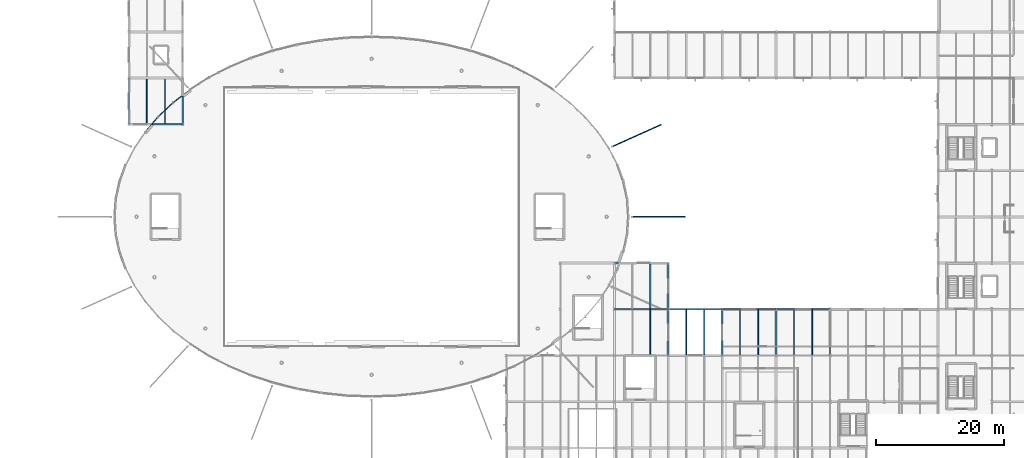
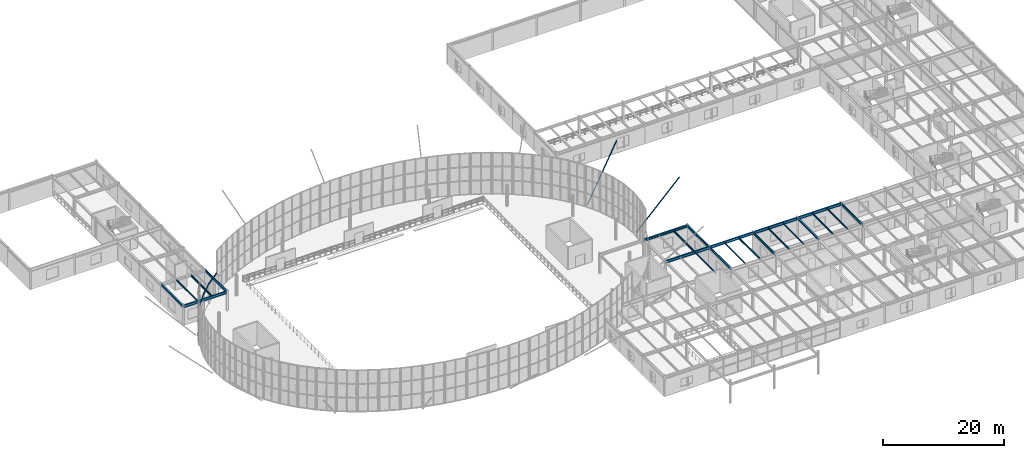
# One storey, part 33 of 109: 26 beams, 2 members.
"""IFC4 building model written with IfcOpenShell, lengths in metres."""

from ifc_helpers import new_model, si_unit, derived_unit, direction, frame, origin, origin_2d, place, context, subcontext, project, spatial, hollow_rectangle, hollow_circle, i_section, extrude, material, material_profile, profile_set, type_object, element, save


model = new_model("IFC4")

# Units and contexts
model_context = context("Model", 3, precision=1e-05, world=origin(), true_north=direction((0.0, 1.0)))
body_context = subcontext(model_context, "Body", "Model", "MODEL_VIEW")
ifc_project = project(units=[si_unit("LENGTHUNIT", "METRE"), si_unit("AREAUNIT", "SQUARE_METRE"), si_unit("VOLUMEUNIT", "CUBIC_METRE"), si_unit("PLANEANGLEUNIT", "RADIAN"), si_unit("MASSUNIT", "GRAM", prefix="KILO"), derived_unit("THERMALTRANSMITTANCEUNIT", [(si_unit("MASSUNIT", "GRAM", prefix="KILO"), 1), (si_unit("TIMEUNIT", "SECOND"), -3), (si_unit("THERMODYNAMICTEMPERATUREUNIT", "KELVIN"), -1)])], contexts=[model_context])

# Site, building, storey
site_placement = place(None, origin())
site = spatial("IfcSite", under=ifc_project, at=site_placement, CompositionType="ELEMENT")
building_placement = place(site_placement, origin())
building = spatial("IfcBuilding", under=site, at=building_placement, Name="Kharveza Railside Sports Centre", CompositionType="ELEMENT")
storey_placement = place(building_placement, frame((0.0, 0.0, 4.5)))
storey = spatial("IfcBuildingStorey", under=building, at=storey_placement, Name="L01", CompositionType="ELEMENT", Elevation=4.5)

# Beams
ifc_material = material(Name="Steel S355J2", Category="steel")
ifc_material_profile_1 = material_profile(ifc_material, i_section(OverallWidth=0.2099609375, OverallDepth=0.550048828125, WebThickness=0.010986328125, FlangeThickness=0.01708984375, FilletRadius=0.02392578125, at=origin_2d()), Name="IPE 550")
ifc_profile_set_1 = profile_set([ifc_material_profile_1], Name="Steel S355J2")
beam_type_1 = type_object("IfcBeamType", Name="BM-G02", PredefinedType="T_BEAM", material=ifc_profile_set_1)
beam_1_placement = place(storey_placement, frame((16.800048828125, 64.800048828125, 3.72509765625), z_axis=(1.0, 0.0, 0.0), x_axis=(0.0, 1.0, 0.0)))
element("IfcBeam", 1, at=beam_1_placement, inside=storey, type_object=beam_type_1, Name="BM-EW-L01-B02-X168-Y648", PredefinedType="T_BEAM", context=body_context, shape_type="SweptSolid", body=[
    extrude(i_section(OverallWidth=0.2099609375, OverallDepth=0.550048828125, WebThickness=0.010986328125, FlangeThickness=0.01708984375, FilletRadius=0.02392578125, at=origin_2d()), origin(), (0.0, 0.0, 1.0), 8.39990234375),
])
beam_2_placement = place(storey_placement, frame((92.39990234375, 36.0, 3.72509765625), z_axis=(1.0, 0.0, 0.0), x_axis=(0.0, 1.0, 0.0)))
element("IfcBeam", 2, at=beam_2_placement, inside=storey, type_object=beam_type_1, Name="BM-EW-L01-B02-X924-Y360", PredefinedType="T_BEAM", context=body_context, shape_type="SweptSolid", body=[
    extrude(i_section(OverallWidth=0.2099609375, OverallDepth=0.550048828125, WebThickness=0.010986328125, FlangeThickness=0.01708984375, FilletRadius=0.02392578125, at=origin_2d()), origin(), (0.0, 0.0, 1.0), 8.400146484375),
])
beam_3_placement = place(storey_placement, frame((100.800048828125, 36.0, 3.72509765625), z_axis=(1.0, 0.0, 0.0), x_axis=(0.0, 1.0, 0.0)))
element("IfcBeam", 3, at=beam_3_placement, inside=storey, type_object=beam_type_1, Name="BM-EW-L01-B02-X1008-Y360", PredefinedType="T_BEAM", context=body_context, shape_type="SweptSolid", body=[
    extrude(i_section(OverallWidth=0.2099609375, OverallDepth=0.550048828125, WebThickness=0.010986328125, FlangeThickness=0.01708984375, FilletRadius=0.02392578125, at=origin_2d()), origin(), (0.0, 0.0, 1.0), 8.39990234375),
])
beam_4_placement = place(storey_placement, frame((109.199951171875, 36.0, 3.72509765625), z_axis=(1.0, 0.0, 0.0), x_axis=(0.0, 1.0, 0.0)))
element("IfcBeam", 4, at=beam_4_placement, inside=storey, type_object=beam_type_1, Name="BM-EW-L01-B02-X1092-Y360", PredefinedType="T_BEAM", context=body_context, shape_type="SweptSolid", body=[
    extrude(i_section(OverallWidth=0.2099609375, OverallDepth=0.550048828125, WebThickness=0.010986328125, FlangeThickness=0.01708984375, FilletRadius=0.02392578125, at=origin_2d()), origin(), (0.0, 0.0, 1.0), 8.400146484375),
])
beam_5_placement = place(storey_placement, frame((117.60009765625, 36.0, 3.72509765625), z_axis=(1.0, 0.0, 0.0), x_axis=(0.0, 1.0, 0.0)))
element("IfcBeam", 5, at=beam_5_placement, inside=storey, type_object=beam_type_1, Name="BM-EW-L01-B02-X1176-Y360", PredefinedType="T_BEAM", context=body_context, shape_type="SweptSolid", body=[
    extrude(i_section(OverallWidth=0.2099609375, OverallDepth=0.550048828125, WebThickness=0.010986328125, FlangeThickness=0.01708984375, FilletRadius=0.02392578125, at=origin_2d()), origin(), (0.0, 0.0, 1.0), 8.39990234375),
])
ifc_material_profile_2 = material_profile(ifc_material, i_section(OverallWidth=0.199951171875, OverallDepth=0.5, WebThickness=0.01025390625, FlangeThickness=0.01611328125, FilletRadius=0.02099609375, at=origin_2d()), Name="IPE 500")
ifc_profile_set_2 = profile_set([ifc_material_profile_2], Name="Steel S355J2")
beam_type_2 = type_object("IfcBeamType", Name="BM-G03", PredefinedType="T_BEAM", material=ifc_profile_set_2)
for number, where, z_axis, x_axis, name in (
    (6, (25.199951171875, 64.800048828125, 3.75), (0.0, 1.0, 0.0), (-1.0, 0.0, 0.0), "BM-NS-L01-B03-X252-Y648"),
    (7, (100.800048828125, 28.800048828125, 3.75), (0.0, 1.0, 0.0), (-1.0, 0.0, 0.0), "BM-NS-L01-B03-X1008-Y288"),
    (8, (100.800048828125, 36.0, 3.75), (0.0, 1.0, 0.0), (-1.0, 0.0, 0.0), "BM-NS-L01-B03-X1008-Y360"),
    (9, (126.0, 28.800048828125, 3.75), (0.0, 1.0, 0.0), (-1.0, 0.0, 0.0), "BM-NS-L01-B03-X1260-Y288"),
):
    element("IfcBeam", number, at=place(storey_placement, frame(where, z_axis=z_axis, x_axis=x_axis)), inside=storey, type_object=beam_type_2, Name=name, PredefinedType="T_BEAM", context=body_context, shape_type="SweptSolid", body=[
        extrude(i_section(OverallWidth=0.199951171875, OverallDepth=0.5, WebThickness=0.01025390625, FlangeThickness=0.01611328125, FilletRadius=0.02099609375, at=origin_2d()), origin(), (0.0, 0.0, 1.0), 7.199951171875),
    ])
ifc_material_profile_3 = material_profile(ifc_material, i_section(OverallWidth=0.18994140625, OverallDepth=0.449951171875, WebThickness=0.009521484375, FlangeThickness=0.0146484375, FilletRadius=0.02099609375, at=origin_2d()), Name="IPE 450")
ifc_profile_set_3 = profile_set([ifc_material_profile_3], Name="Steel S355J2")
beam_type_3 = type_object("IfcBeamType", Name="BM-G04", PredefinedType="T_BEAM", material=ifc_profile_set_3)
beam_6_placement = place(storey_placement, frame((109.199951171875, 28.800048828125, 3.77490234375), z_axis=(0.0, 1.0, 0.0), x_axis=(-1.0, 0.0, 0.0)))
element("IfcBeam", 10, at=beam_6_placement, inside=storey, type_object=beam_type_3, Name="BM-NS-L01-B04-X1092-Y288", PredefinedType="T_BEAM", context=body_context, shape_type="SweptSolid", body=[
    extrude(i_section(OverallWidth=0.18994140625, OverallDepth=0.449951171875, WebThickness=0.009521484375, FlangeThickness=0.0146484375, FilletRadius=0.02099609375, at=origin_2d()), origin(), (0.0, 0.0, 1.0), 7.199951171875),
])
ifc_material_profile_4 = material_profile(ifc_material, i_section(OverallWidth=0.300048828125, OverallDepth=0.449951171875, WebThickness=0.013916015625, FlangeThickness=0.02587890625, FilletRadius=0.027099609375, at=origin_2d()), Name="HEB 450")
ifc_profile_set_4 = profile_set([ifc_material_profile_4], Name="Steel S355J2")
beam_type_4 = type_object("IfcBeamType", Name="BM-G06", PredefinedType="T_BEAM", material=ifc_profile_set_4)
beam_7_placement = place(storey_placement, frame((92.39990234375, 43.199951171875, 3.77490234375), z_axis=(1.0, 0.0, 0.0), x_axis=(0.0, 1.0, 0.0)))
element("IfcBeam", 11, at=beam_7_placement, inside=storey, type_object=beam_type_4, Name="BM-EW-L01-B06-X924-Y432", PredefinedType="T_BEAM", context=body_context, shape_type="SweptSolid", body=[
    extrude(i_section(OverallWidth=0.300048828125, OverallDepth=0.449951171875, WebThickness=0.013916015625, FlangeThickness=0.02587890625, FilletRadius=0.027099609375, at=origin_2d()), origin(), (0.0, 0.0, 1.0), 8.400146484375),
])
ifc_material_profile_5 = material_profile(ifc_material, i_section(OverallWidth=0.169921875, OverallDepth=0.360107421875, WebThickness=0.008056640625, FlangeThickness=0.0126953125, FilletRadius=0.01806640625, at=origin_2d()), Name="IPE 360")
ifc_profile_set_5 = profile_set([ifc_material_profile_5], Name="Steel S355J2")
beam_type_5 = type_object("IfcBeamType", Name="BM-S02", PredefinedType="BEAM", material=ifc_profile_set_5)
for number, where, z_axis, x_axis, name in (
    (12, (22.39990234375, 64.902099609375, 3.820068359375), (0.0, 1.0, 0.0), (-1.0, 0.0, 0.0), "BM-SEC-L01-B10-X224-Y648"),
    (13, (98.0, 36.10205078125, 3.820068359375), (0.0, 1.0, 0.0), (-1.0, 0.0, 0.0), "BM-SEC-L01-B10-X980-Y360"),
):
    element("IfcBeam", number, at=place(storey_placement, frame(where, z_axis=z_axis, x_axis=x_axis)), inside=storey, type_object=beam_type_5, Name=name, PredefinedType="BEAM", context=body_context, shape_type="SweptSolid", body=[
        extrude(i_section(OverallWidth=0.169921875, OverallDepth=0.360107421875, WebThickness=0.008056640625, FlangeThickness=0.0126953125, FilletRadius=0.01806640625, at=origin_2d()), origin(), (0.0, 0.0, 1.0), 6.950927734375),
    ])
beam_8_placement = place(storey_placement, frame((106.39990234375, 28.906982421875, 3.739990234375), z_axis=(0.0, 1.0, 0.0), x_axis=(-1.0, 0.0, 0.0)))
element("IfcBeam", 14, at=beam_8_placement, inside=storey, type_object=beam_type_5, Name="BM-SEC-L01-B10-X1064-Y288", PredefinedType="BEAM", context=body_context, shape_type="SweptSolid", body=[
    extrude(i_section(OverallWidth=0.169921875, OverallDepth=0.360107421875, WebThickness=0.008056640625, FlangeThickness=0.0126953125, FilletRadius=0.01806640625, at=origin_2d()), origin(), (0.0, 0.0, 1.0), 6.990966796875),
])
ifc_material_profile_6 = material_profile(ifc_material, i_section(OverallWidth=0.159912109375, OverallDepth=0.330078125, WebThickness=0.007568359375, FlangeThickness=0.011474609375, FilletRadius=0.01806640625, at=origin_2d()), Name="IPE 330")
ifc_profile_set_6 = profile_set([ifc_material_profile_6], Name="Steel S355J2")
beam_type_6 = type_object("IfcBeamType", Name="BM-S03", PredefinedType="BEAM", material=ifc_profile_set_6)
for number, where, z_axis, x_axis, name in (
    (15, (112.0, 28.906982421875, 3.7548828125), (0.0, 1.0, 0.0), (-1.0, 0.0, 0.0), "BM-SEC-L01-B11-X1120-Y288"),
    (16, (120.39990234375, 28.906982421875, 3.8349609375), (0.0, 1.0, 0.0), (-1.0, 0.0, 0.0), "BM-SEC-L01-B11-X1204-Y288"),
):
    element("IfcBeam", number, at=place(storey_placement, frame(where, z_axis=z_axis, x_axis=x_axis)), inside=storey, type_object=beam_type_6, Name=name, PredefinedType="BEAM", context=body_context, shape_type="SweptSolid", body=[
        extrude(i_section(OverallWidth=0.159912109375, OverallDepth=0.330078125, WebThickness=0.007568359375, FlangeThickness=0.011474609375, FilletRadius=0.01806640625, at=origin_2d()), origin(), (0.0, 0.0, 1.0), 6.990966796875),
    ])
ifc_material_profile_7 = material_profile(ifc_material, i_section(OverallWidth=0.135009765625, OverallDepth=0.27001953125, WebThickness=0.006591796875, FlangeThickness=0.01025390625, FilletRadius=0.014892578125, at=origin_2d()), Name="IPE 270")
ifc_profile_set_7 = profile_set([ifc_material_profile_7], Name="Steel S355J2")
beam_type_7 = type_object("IfcBeamType", Name="BM-S05", PredefinedType="BEAM", material=ifc_profile_set_7)
beam_9_placement = place(storey_placement, frame((19.60009765625, 64.902099609375, 3.864990234375), z_axis=(0.0, 1.0, 0.0), x_axis=(-1.0, 0.0, 0.0)))
element("IfcBeam", 17, at=beam_9_placement, inside=storey, type_object=beam_type_7, Name="BM-SEC-L01-B13-X196-Y648", PredefinedType="BEAM", context=body_context, shape_type="SweptSolid", body=[
    extrude(i_section(OverallWidth=0.135009765625, OverallDepth=0.27001953125, WebThickness=0.006591796875, FlangeThickness=0.01025390625, FilletRadius=0.014892578125, at=origin_2d()), origin(), (0.0, 0.0, 1.0), 6.950927734375),
])
for number, where, z_axis, x_axis, name in (
    (18, (98.0, 28.906982421875, 3.784912109375), (0.0, 1.0, 0.0), (-1.0, 0.0, 0.0), "BM-SEC-L01-B13-X980-Y288"),
    (19, (103.60009765625, 28.906982421875, 3.784912109375), (0.0, 1.0, 0.0), (-1.0, 0.0, 0.0), "BM-SEC-L01-B13-X1036-Y288"),
    (20, (114.800048828125, 28.906982421875, 3.784912109375), (0.0, 1.0, 0.0), (-1.0, 0.0, 0.0), "BM-SEC-L01-B13-X1148-Y288"),
    (21, (123.199951171875, 28.906982421875, 3.864990234375), (0.0, 1.0, 0.0), (-1.0, 0.0, 0.0), "BM-SEC-L01-B13-X1232-Y288"),
):
    element("IfcBeam", number, at=place(storey_placement, frame(where, z_axis=z_axis, x_axis=x_axis)), inside=storey, type_object=beam_type_7, Name=name, PredefinedType="BEAM", context=body_context, shape_type="SweptSolid", body=[
        extrude(i_section(OverallWidth=0.135009765625, OverallDepth=0.27001953125, WebThickness=0.006591796875, FlangeThickness=0.01025390625, FilletRadius=0.014892578125, at=origin_2d()), origin(), (0.0, 0.0, 1.0), 6.990966796875),
    ])
ifc_material_profile_8 = material_profile(ifc_material, i_section(OverallWidth=0.300048828125, OverallDepth=0.31005859375, WebThickness=0.009033203125, FlangeThickness=0.015380859375, FilletRadius=0.027099609375, at=origin_2d()), Name="HEA 320")
ifc_profile_set_8 = profile_set([ifc_material_profile_8], Name="Steel S355J2")
beam_type_8 = type_object("IfcBeamType", Name="BM-S06", PredefinedType="BEAM", material=ifc_profile_set_8)
for number, where, z_axis, x_axis, name in (
    (22, (16.800048828125, 64.800048828125, 3.844970703125), (0.0, 1.0, 0.0), (-1.0, 0.0, 0.0), "BM-NS-L01-B14-X168-Y648"),
    (23, (117.60009765625, 28.800048828125, 3.844970703125), (0.0, 1.0, 0.0), (-1.0, 0.0, 0.0), "BM-NS-L01-B14-X1176-Y288"),
):
    element("IfcBeam", number, at=place(storey_placement, frame(where, z_axis=z_axis, x_axis=x_axis)), inside=storey, type_object=beam_type_8, Name=name, PredefinedType="BEAM", context=body_context, shape_type="SweptSolid", body=[
        extrude(i_section(OverallWidth=0.300048828125, OverallDepth=0.31005859375, WebThickness=0.009033203125, FlangeThickness=0.015380859375, FilletRadius=0.027099609375, at=origin_2d()), origin(), (0.0, 0.0, 1.0), 7.199951171875),
    ])
ifc_material_profile_9 = material_profile(ifc_material, hollow_rectangle(XDim=0.14990234375, YDim=0.300048828125, WallThickness=0.012451171875, InnerFilletRadius=0.012451171875, OuterFilletRadius=0.02490234375, at=origin_2d()), Name="RHS 150x300x12.5")
ifc_profile_set_9 = profile_set([ifc_material_profile_9], Name="Steel S355J2")
beam_type_9 = type_object("IfcBeamType", Name="BM-SP03", PredefinedType="SPANDREL", material=ifc_profile_set_9)
beam_10_placement = place(storey_placement, frame((26.315673828125, 70.198974609375, 3.8798828125), z_axis=(-0.79143167559, -0.611257640339, 0.0), x_axis=(0.611257640339, -0.79143167559, 0.0)))
element("IfcBeam", 24, at=beam_10_placement, inside=storey, type_object=beam_type_9, Name="BM-DCLER-SILL-25", PredefinedType="SPANDREL", context=body_context, shape_type="SweptSolid", body=[
    extrude(hollow_rectangle(XDim=0.14990234375, YDim=0.300048828125, WallThickness=0.012451171875, InnerFilletRadius=0.012451171875, OuterFilletRadius=0.02490234375, at=origin_2d()), origin(), (0.0, 0.0, 1.0), 3.33056640625),
])
beam_11_placement = place(storey_placement, frame((23.6796875, 68.1630859375, 3.8798828125), z_axis=(-0.727236314573, -0.686387166814, 0.0), x_axis=(0.686387166814, -0.727236314573, 0.0)))
element("IfcBeam", 25, at=beam_11_placement, inside=storey, type_object=beam_type_9, Name="BM-DCLER-SILL-26", PredefinedType="SPANDREL", context=body_context, shape_type="SweptSolid", body=[
    extrude(hollow_rectangle(XDim=0.14990234375, YDim=0.300048828125, WallThickness=0.012451171875, InnerFilletRadius=0.012451171875, OuterFilletRadius=0.02490234375, at=origin_2d()), origin(), (0.0, 0.0, 1.0), 3.21533203125),
])
beam_12_placement = place(storey_placement, frame((21.34130859375, 65.9560546875, 3.8798828125), z_axis=(-0.650389538769, -0.759600847722, 0.0), x_axis=(0.759600847722, -0.650389538769, 0.0)))
element("IfcBeam", 26, at=beam_12_placement, inside=storey, type_object=beam_type_9, Name="BM-DCLER-SILL-27", PredefinedType="SPANDREL", context=body_context, shape_type="SweptSolid", body=[
    extrude(hollow_rectangle(XDim=0.14990234375, YDim=0.300048828125, WallThickness=0.012451171875, InnerFilletRadius=0.012451171875, OuterFilletRadius=0.02490234375, at=origin_2d()), origin(), (0.0, 0.0, 1.0), 3.102783203125),
])

# Members
ifc_material_profile_10 = material_profile(ifc_material, hollow_circle(Radius=0.109619140625, WallThickness=0.012451171875, at=origin_2d()), Name="CHS 219.1x12.5")
ifc_profile_set_10 = profile_set([ifc_material_profile_10], Name="Steel S355J2")
member_type = type_object("IfcMemberType", Name="MB-ST01", PredefinedType="STRUT", material=ifc_profile_set_10)
member_1_placement = place(storey_placement, frame((95.14990234375, 50.39990234375, 0.0), z_axis=(0.702830189607, 0.0, 0.711357662907), x_axis=(0.0, 1.0, 0.0)))
element("IfcMember", 27, at=member_1_placement, inside=storey, type_object=member_type, Name="MB-RAKER-LID-01", PredefinedType="STRUT", context=body_context, shape_type="SweptSolid", body=[
    extrude(hollow_circle(Radius=0.109619140625, WallThickness=0.012451171875, at=origin_2d()), origin(), (0.0, 0.0, 1.0), 11.73828125),
])
member_2_placement = place(storey_placement, frame((92.063232421875, 61.32568359375, 0.0), z_axis=(0.64522175877, 0.289915785779, 0.706850563532), x_axis=(-0.409854380694, 0.912150967015, 0.0)))
element("IfcMember", 28, at=member_2_placement, inside=storey, type_object=member_type, Name="MB-RAKER-LID-02", PredefinedType="STRUT", context=body_context, shape_type="SweptSolid", body=[
    extrude(hollow_circle(Radius=0.109619140625, WallThickness=0.012451171875, at=origin_2d()), origin(), (0.0, 0.0, 1.0), 11.81298828125),
])

save(model, "model.ifc")
